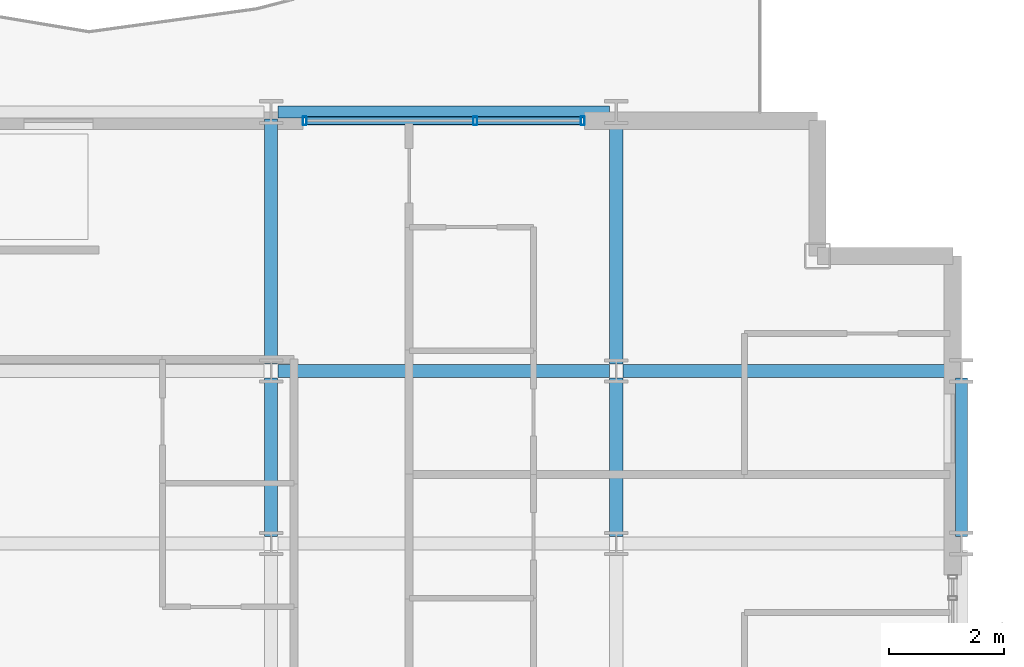
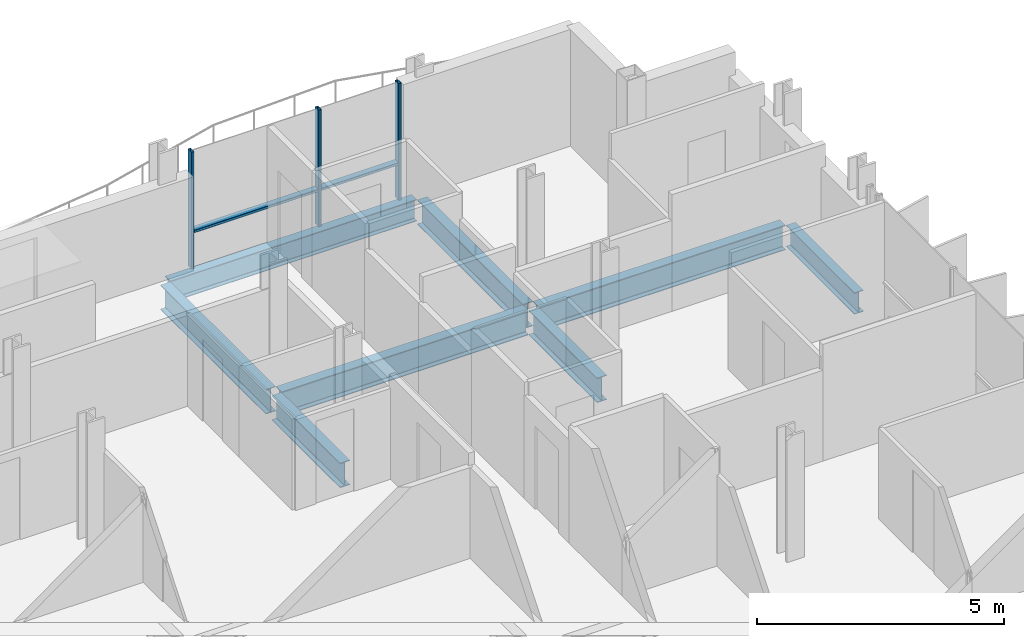
# One storey, part 20 of 39: 8 beams, 5 members, 1 element without a shape of its own.
"""IFC4 building model written with IfcOpenShell, lengths in metres."""

from ifc_helpers import new_model, si_unit, direction, frame, origin, origin_2d, place, context, subcontext, project, spatial, hollow_rectangle, i_section, extrude, material, layer, layer_set, material_profile, profile_set, type_object, element, aggregate, save


model = new_model("IFC4")

# Units and contexts
model_context = context("Model", 3, precision=1e-05, world=origin(), true_north=direction((0.0, 1.0)))
body_context = subcontext(model_context, "Body", "Model", "MODEL_VIEW")
ifc_project = project(units=[si_unit("LENGTHUNIT", "METRE"), si_unit("AREAUNIT", "SQUARE_METRE"), si_unit("VOLUMEUNIT", "CUBIC_METRE"), si_unit("PLANEANGLEUNIT", "RADIAN"), si_unit("MASSUNIT", "GRAM", prefix="KILO")], contexts=[model_context])

# Site, building, storey
site_placement = place(None, origin())
site = spatial("IfcSite", under=ifc_project, at=site_placement, CompositionType="ELEMENT")
building_placement = place(site_placement, origin())
building = spatial("IfcBuilding", under=site, at=building_placement, Name="Brevholm Reach", CompositionType="ELEMENT")
storey_placement = place(building_placement, frame((0.0, 0.0, 103.5)))
storey = spatial("IfcBuildingStorey", under=building, at=storey_placement, Name="L30", CompositionType="ELEMENT", Elevation=103.5)

# Beams
ifc_material_1 = material(Name="Structural Steel S355J2", Category="steel")
ifc_material_profile_1 = material_profile(ifc_material_1, i_section(OverallWidth=0.209228515625, OverallDepth=0.533203125, WebThickness=0.010009765625, FlangeThickness=0.015625, FilletRadius=0.0126953125, at=origin_2d()), Name="UKB 533x210x92")
ifc_profile_set_1 = profile_set([ifc_material_profile_1], Name="Structural Steel S355J2")
beam_type_1 = type_object("IfcBeamType", Name="BM-SP533", PredefinedType="SPANDREL", material=ifc_profile_set_1)
beam_1_placement = place(storey_placement, frame((48.1201171875, 31.0, -0.486572265625), z_axis=(1.0, 0.0, 0.0), x_axis=(0.0, 1.0, 0.0)))
element("IfcBeam", 1, at=beam_1_placement, inside=storey, type_object=beam_type_1, Name="L30 SP-02 Framing Beam", PredefinedType="SPANDREL", context=body_context, shape_type="SweptSolid", body=[
    extrude(i_section(OverallWidth=0.209228515625, OverallDepth=0.533203125, WebThickness=0.010009765625, FlangeThickness=0.015625, FilletRadius=0.0126953125, at=origin_2d()), origin(), (0.0, 0.0, 1.0), 5.759765625),
])
beam_2_placement = place(storey_placement, frame((60.0, 23.6201171875, -0.486572265625), z_axis=(0.0, 1.0, 0.0), x_axis=(-1.0, 0.0, 0.0)))
element("IfcBeam", 2, at=beam_2_placement, inside=storey, type_object=beam_type_1, Name="L30 SP-02 Framing Beam", PredefinedType="SPANDREL", context=body_context, shape_type="SweptSolid", body=[
    extrude(i_section(OverallWidth=0.209228515625, OverallDepth=0.533203125, WebThickness=0.010009765625, FlangeThickness=0.015625, FilletRadius=0.0126953125, at=origin_2d()), origin(), (0.0, 0.0, 1.0), 2.759765625),
])
ifc_material_2 = material(Name="Structural Steel S355J2", Category="steel")
ifc_material_profile_2 = material_profile(ifc_material_2, i_section(OverallWidth=0.22900390625, OverallDepth=0.6123046875, WebThickness=0.011962890625, FlangeThickness=0.01953125, FilletRadius=0.0126953125, at=origin_2d()), Name="UKB 610x229x125")
ifc_profile_set_2 = profile_set([ifc_material_profile_2], Name="Structural Steel S355J2")
beam_type_2 = type_object("IfcBeamType", Name="BM-SP610", PredefinedType="SPANDREL", material=ifc_profile_set_2)
for number, where, z_axis, x_axis, name in (
    (3, (48.1201171875, 26.5, -0.526123046875), (1.0, 0.0, 0.0), (0.0, 1.0, 0.0), "L30 SP-01 Framing Beam"),
    (4, (54.1201171875, 26.5, -0.526123046875), (1.0, 0.0, 0.0), (0.0, 1.0, 0.0), "L30 SP-01 Framing Beam"),
):
    element("IfcBeam", number, at=place(storey_placement, frame(where, z_axis=z_axis, x_axis=x_axis)), inside=storey, type_object=beam_type_2, Name=name, PredefinedType="SPANDREL", context=body_context, shape_type="SweptSolid", body=[
        extrude(i_section(OverallWidth=0.22900390625, OverallDepth=0.6123046875, WebThickness=0.011962890625, FlangeThickness=0.01953125, FilletRadius=0.0126953125, at=origin_2d()), origin(), (0.0, 0.0, 1.0), 5.759765625),
    ])
beam_3_placement = place(storey_placement, frame((48.0, 23.6201171875, -0.526123046875), z_axis=(0.0, 1.0, 0.0), x_axis=(-1.0, 0.0, 0.0)))
element("IfcBeam", 5, at=beam_3_placement, inside=storey, type_object=beam_type_2, Name="L30 SP-01 Framing Beam", PredefinedType="SPANDREL", context=body_context, shape_type="SweptSolid", body=[
    extrude(i_section(OverallWidth=0.22900390625, OverallDepth=0.6123046875, WebThickness=0.011962890625, FlangeThickness=0.01953125, FilletRadius=0.0126953125, at=origin_2d()), origin(), (0.0, 0.0, 1.0), 2.759765625),
])
beam_4_placement = place(storey_placement, frame((48.0, 26.6201171875, -0.526123046875), z_axis=(0.0, 1.0, 0.0), x_axis=(-1.0, 0.0, 0.0)))
element("IfcBeam", 6, at=beam_4_placement, inside=storey, type_object=beam_type_2, Name="L30 SP-01 Framing Beam", PredefinedType="SPANDREL", context=body_context, shape_type="SweptSolid", body=[
    extrude(i_section(OverallWidth=0.22900390625, OverallDepth=0.6123046875, WebThickness=0.011962890625, FlangeThickness=0.01953125, FilletRadius=0.0126953125, at=origin_2d()), origin(), (0.0, 0.0, 1.0), 4.259765625),
])
beam_5_placement = place(storey_placement, frame((54.0, 23.6201171875, -0.526123046875), z_axis=(0.0, 1.0, 0.0), x_axis=(-1.0, 0.0, 0.0)))
element("IfcBeam", 7, at=beam_5_placement, inside=storey, type_object=beam_type_2, Name="L30 SP-01 Framing Beam", PredefinedType="SPANDREL", context=body_context, shape_type="SweptSolid", body=[
    extrude(i_section(OverallWidth=0.22900390625, OverallDepth=0.6123046875, WebThickness=0.011962890625, FlangeThickness=0.01953125, FilletRadius=0.0126953125, at=origin_2d()), origin(), (0.0, 0.0, 1.0), 2.759765625),
])
beam_6_placement = place(storey_placement, frame((54.0, 26.6201171875, -0.526123046875), z_axis=(0.0, 1.0, 0.0), x_axis=(-1.0, 0.0, 0.0)))
element("IfcBeam", 8, at=beam_6_placement, inside=storey, type_object=beam_type_2, Name="L30 SP-01 Framing Beam", PredefinedType="SPANDREL", context=body_context, shape_type="SweptSolid", body=[
    extrude(i_section(OverallWidth=0.22900390625, OverallDepth=0.6123046875, WebThickness=0.011962890625, FlangeThickness=0.01953125, FilletRadius=0.0126953125, at=origin_2d()), origin(), (0.0, 0.0, 1.0), 4.259765625),
])

# Curtain wall, members
ifc_material_3 = material(Name="Dark Anodised Aluminium 6063-T6 and Solar-Control Glass", Category="aluminium")
ifc_layer = layer(ifc_material_3, 0.14990234375)
ifc_layer_set = layer_set([ifc_layer], Name="Dark Anodised Aluminium 6063-T6 and Solar-Control Glass")
curtain_wall_type = type_object("IfcCurtainWallType", Name="CW-01", PredefinedType="NOTDEFINED", material=ifc_layer_set)
curtain_wall_placement = place(storey_placement, origin())
curtain_wall = element("IfcCurtainWall", 9, at=curtain_wall_placement, inside=storey, type_object=curtain_wall_type, Name="L30 Curtain Wall CW-01", PredefinedType="NOTDEFINED")
ifc_material_4 = material(Name="Dark Anodised Aluminium 6063-T6", Category="aluminium")
ifc_material_profile_3 = material_profile(ifc_material_4, hollow_rectangle(XDim=0.06494140625, YDim=0.14990234375, WallThickness=0.0048828125, InnerFilletRadius=0.0048828125, OuterFilletRadius=0.010009765625, at=origin_2d()), Name="RHS 150x65x5")
ifc_profile_set_3 = profile_set([ifc_material_profile_3], Name="Dark Anodised Aluminium 6063-T6")
member_type_1 = type_object("IfcMemberType", Name="CWM-150", PredefinedType="MULLION", material=ifc_profile_set_3)
member_1_placement = place(storey_placement, frame((48.58251953125, 30.85009765625, 0.0), z_axis=(0.0, 0.0, 1.0), x_axis=(1.0, 0.0, 0.0)))
member_1 = element("IfcMember", 10, at=member_1_placement, type_object=member_type_1, Name="CM-150 Mullion 1", PredefinedType="MULLION", context=body_context, shape_type="SweptSolid", body=[
    extrude(hollow_rectangle(XDim=0.06494140625, YDim=0.14990234375, WallThickness=0.0048828125, InnerFilletRadius=0.0048828125, OuterFilletRadius=0.010009765625, at=origin_2d()), origin(), (0.0, 0.0, 1.0), 2.8798828125),
])
member_2_placement = place(storey_placement, frame((51.550048828125, 30.85009765625, 0.0), z_axis=(0.0, 0.0, 1.0), x_axis=(1.0, 0.0, 0.0)))
member_2 = element("IfcMember", 11, at=member_2_placement, type_object=member_type_1, Name="CM-150 Mullion 2", PredefinedType="MULLION", context=body_context, shape_type="SweptSolid", body=[
    extrude(hollow_rectangle(XDim=0.06494140625, YDim=0.14990234375, WallThickness=0.0048828125, InnerFilletRadius=0.0048828125, OuterFilletRadius=0.010009765625, at=origin_2d()), origin(), (0.0, 0.0, 1.0), 2.8798828125),
])
member_3_placement = place(storey_placement, frame((53.41748046875, 30.85009765625, 0.0), z_axis=(0.0, 0.0, 1.0), x_axis=(1.0, 0.0, 0.0)))
member_3 = element("IfcMember", 12, at=member_3_placement, type_object=member_type_1, Name="CM-150 Mullion 3", PredefinedType="MULLION", context=body_context, shape_type="SweptSolid", body=[
    extrude(hollow_rectangle(XDim=0.06494140625, YDim=0.14990234375, WallThickness=0.0048828125, InnerFilletRadius=0.0048828125, OuterFilletRadius=0.010009765625, at=origin_2d()), origin(), (0.0, 0.0, 1.0), 2.8798828125),
])
ifc_material_5 = material(Name="Dark Anodised Aluminium 6063-T6", Category="aluminium")
ifc_material_profile_4 = material_profile(ifc_material_5, hollow_rectangle(XDim=0.06494140625, YDim=0.14990234375, WallThickness=0.0048828125, InnerFilletRadius=0.0048828125, OuterFilletRadius=0.010009765625, at=origin_2d()), Name="RHS 150x65x5")
ifc_profile_set_4 = profile_set([ifc_material_profile_4], Name="Dark Anodised Aluminium 6063-T6")
member_type_2 = type_object("IfcMemberType", Name="CWT-150", PredefinedType="NOTDEFINED", material=ifc_profile_set_4)
member_4_placement = place(storey_placement, frame((48.614990234375, 30.85009765625, 0.89990234375), z_axis=(1.0, 0.0, 0.0), x_axis=(0.0, 0.0, 1.0)))
member_4 = element("IfcMember", 13, at=member_4_placement, type_object=member_type_2, Name="CT-150 Transom 1.1", ObjectType="TRANSOM", PredefinedType="USERDEFINED", context=body_context, shape_type="SweptSolid", body=[
    extrude(hollow_rectangle(XDim=0.06494140625, YDim=0.14990234375, WallThickness=0.0048828125, InnerFilletRadius=0.0048828125, OuterFilletRadius=0.010009765625, at=origin_2d()), origin(), (0.0, 0.0, 1.0), 2.902587890625),
])
member_5_placement = place(storey_placement, frame((51.58251953125, 30.85009765625, 0.89990234375), z_axis=(1.0, 0.0, 0.0), x_axis=(0.0, 0.0, 1.0)))
member_5 = element("IfcMember", 14, at=member_5_placement, type_object=member_type_2, Name="CT-150 Transom 2.1", ObjectType="TRANSOM", PredefinedType="USERDEFINED", context=body_context, shape_type="SweptSolid", body=[
    extrude(hollow_rectangle(XDim=0.06494140625, YDim=0.14990234375, WallThickness=0.0048828125, InnerFilletRadius=0.0048828125, OuterFilletRadius=0.010009765625, at=origin_2d()), origin(), (0.0, 0.0, 1.0), 1.802490234375),
])
aggregate(curtain_wall, [member_1, member_2, member_3, member_4, member_5])

save(model, "model.ifc")
